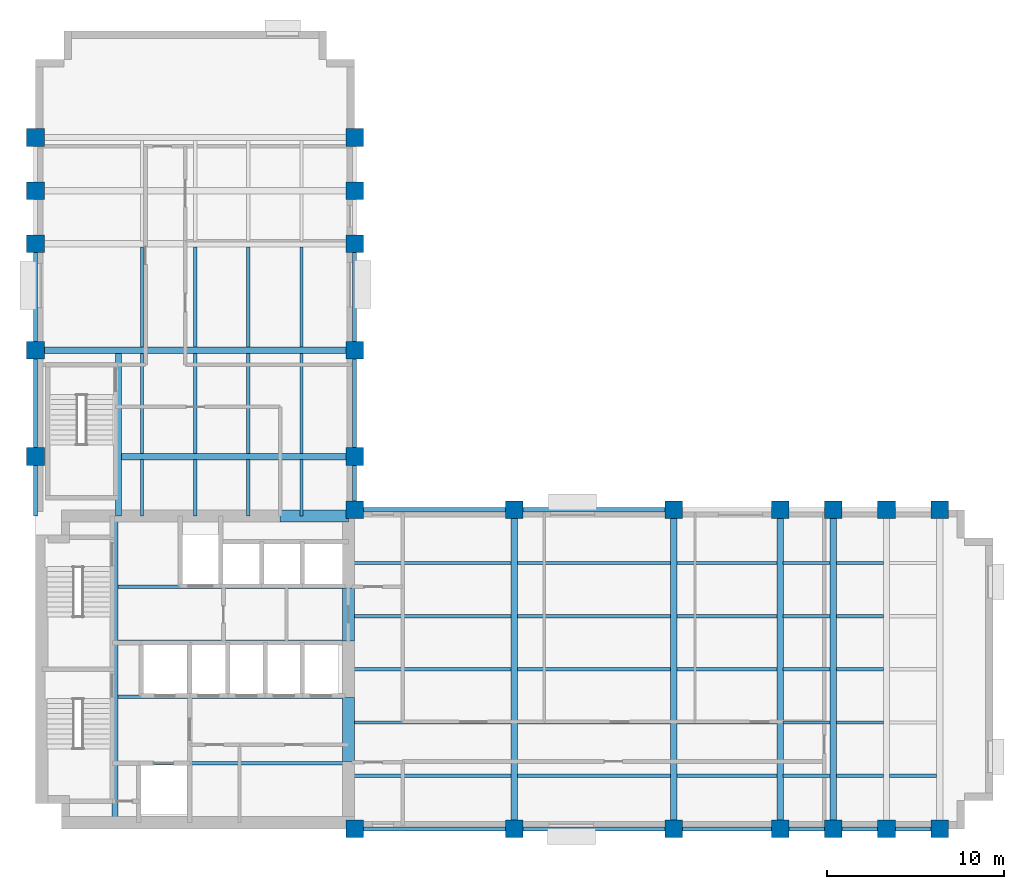
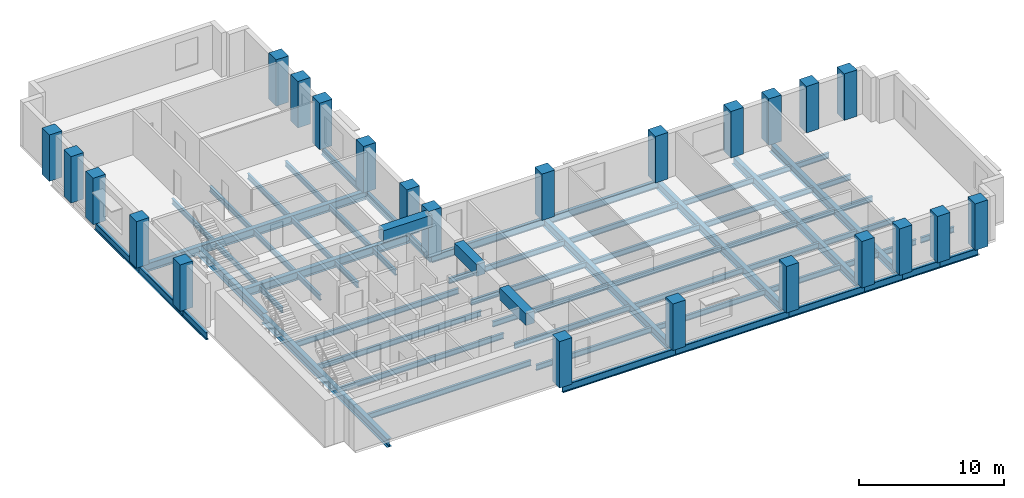
# One storey, part 1 of 8: 67 beams, 24 columns.
"""IFC4 building model written with IfcOpenShell, lengths in metres."""

from ifc_helpers import new_model, si_unit, direction, frame, origin, origin_2d, place, context, subcontext, project, spatial, rectangle, i_section, extrude, material, material_profile, profile_set, type_object, element, save


model = new_model("IFC4")

# Units and contexts
model_context = context("Model", 3, precision=1e-05, world=origin(), true_north=direction((0.0, 1.0)))
body_context = subcontext(model_context, "Body", "Model", "MODEL_VIEW")
ifc_project = project(units=[si_unit("LENGTHUNIT", "METRE"), si_unit("AREAUNIT", "SQUARE_METRE"), si_unit("VOLUMEUNIT", "CUBIC_METRE"), si_unit("PLANEANGLEUNIT", "RADIAN"), si_unit("MASSUNIT", "GRAM", prefix="KILO")], contexts=[model_context])

# Site, building, storey
site_placement = place(None, origin())
site = spatial("IfcSite", under=ifc_project, at=site_placement, CompositionType="ELEMENT")
building_placement = place(site_placement, origin())
building = spatial("IfcBuilding", under=site, at=building_placement, Name="Mawjdan Bourse Tower", CompositionType="ELEMENT")
storey_placement = place(building_placement, frame((0.0, 0.0, 144.0)))
storey = spatial("IfcBuildingStorey", under=building, at=storey_placement, Name="L34", CompositionType="ELEMENT", Elevation=144.0)

# Columns
ifc_material_1 = material(Name="Concrete C70/85", Category="concrete")
ifc_material_profile_1 = material_profile(ifc_material_1, rectangle(XDim=1.0, YDim=1.0, at=origin_2d()), Name="RC1000X1000")
ifc_profile_set_1 = profile_set([ifc_material_profile_1], Name="Concrete C70/85")
column_type = type_object("IfcColumnType", Name="COL-RC1000X1000", PredefinedType="COLUMN", material=ifc_profile_set_1)
for number, where, z_axis, x_axis, name in (
    (1, (24.0, 3.0, 0.0), (0.0, 0.0, 1.0), (1.0, 0.0, 0.0), "L34 Structural Column C-X240-Y30"),
    (2, (24.0, 21.0, 0.0), (0.0, 0.0, 1.0), (1.0, 0.0, 0.0), "L34 Structural Column C-X240-Y210"),
    (3, (33.0, 3.0, 0.0), (0.0, 0.0, 1.0), (1.0, 0.0, 0.0), "L34 Structural Column C-X330-Y30"),
    (4, (33.0, 21.0, 0.0), (0.0, 0.0, 1.0), (1.0, 0.0, 0.0), "L34 Structural Column C-X330-Y210"),
    (5, (42.0, 3.0, 0.0), (0.0, 0.0, 1.0), (1.0, 0.0, 0.0), "L34 Structural Column C-X420-Y30"),
    (6, (42.0, 21.0, 0.0), (0.0, 0.0, 1.0), (1.0, 0.0, 0.0), "L34 Structural Column C-X420-Y210"),
    (7, (48.0, 3.0, 0.0), (0.0, 0.0, 1.0), (1.0, 0.0, 0.0), "L34 Structural Column C-X480-Y30"),
    (8, (48.0, 21.0, 0.0), (0.0, 0.0, 1.0), (1.0, 0.0, 0.0), "L34 Structural Column C-X480-Y210"),
    (9, (51.0, 3.0, 0.0), (0.0, 0.0, 1.0), (1.0, 0.0, 0.0), "L34 Structural Column C-X510-Y30"),
    (10, (51.0, 21.0, 0.0), (0.0, 0.0, 1.0), (1.0, 0.0, 0.0), "L34 Structural Column C-X510-Y210"),
    (11, (54.0, 3.0, 0.0), (0.0, 0.0, 1.0), (1.0, 0.0, 0.0), "L34 Structural Column C-X540-Y30"),
    (12, (54.0, 21.0, 0.0), (0.0, 0.0, 1.0), (1.0, 0.0, 0.0), "L34 Structural Column C-X540-Y210"),
    (13, (57.0, 3.0, 0.0), (0.0, 0.0, 1.0), (1.0, 0.0, 0.0), "L34 Structural Column C-X570-Y30"),
    (14, (57.0, 21.0, 0.0), (0.0, 0.0, 1.0), (1.0, 0.0, 0.0), "L34 Structural Column C-X570-Y210"),
    (15, (6.0, 24.0, 0.0), (0.0, 0.0, 1.0), (1.0, 0.0, 0.0), "L34 Structural Column C-X60-Y240"),
    (16, (24.0, 24.0, 0.0), (0.0, 0.0, 1.0), (1.0, 0.0, 0.0), "L34 Structural Column C-X240-Y240"),
    (17, (6.0, 30.0, 0.0), (0.0, 0.0, 1.0), (1.0, 0.0, 0.0), "L34 Structural Column C-X60-Y300"),
    (18, (24.0, 30.0, 0.0), (0.0, 0.0, 1.0), (1.0, 0.0, 0.0), "L34 Structural Column C-X240-Y300"),
    (19, (6.0, 36.0, 0.0), (0.0, 0.0, 1.0), (1.0, 0.0, 0.0), "L34 Structural Column C-X60-Y360"),
    (20, (24.0, 36.0, 0.0), (0.0, 0.0, 1.0), (1.0, 0.0, 0.0), "L34 Structural Column C-X240-Y360"),
    (21, (6.0, 39.0, 0.0), (0.0, 0.0, 1.0), (1.0, 0.0, 0.0), "L34 Structural Column C-X60-Y390"),
    (22, (24.0, 39.0, 0.0), (0.0, 0.0, 1.0), (1.0, 0.0, 0.0), "L34 Structural Column C-X240-Y390"),
    (23, (6.0, 42.0, 0.0), (0.0, 0.0, 1.0), (1.0, 0.0, 0.0), "L34 Structural Column C-X60-Y420"),
    (24, (24.0, 42.0, 0.0), (0.0, 0.0, 1.0), (1.0, 0.0, 0.0), "L34 Structural Column C-X240-Y420"),
):
    element("IfcColumn", number, at=place(storey_placement, frame(where, z_axis=z_axis, x_axis=x_axis)), inside=storey, type_object=column_type, Name=name, PredefinedType="COLUMN", context=body_context, shape_type="SweptSolid", body=[
        extrude(rectangle(XDim=1.0, YDim=1.0, at=origin_2d()), origin(), (0.0, 0.0, 1.0), 3.89990234375),
    ])

# Beams
ifc_material_2 = material(Name="Structural Steel S355", Category="steel")
ifc_material_profile_2 = material_profile(ifc_material_2, i_section(OverallWidth=0.35498046875, OverallDepth=0.696044921875, WebThickness=0.015380859375, FlangeThickness=0.02490234375, FilletRadius=0.019775390625, at=origin_2d()), Name="W27X146")
ifc_profile_set_2 = profile_set([ifc_material_profile_2], Name="Structural Steel S355")
beam_type_1 = type_object("IfcBeamType", Name="GRD-W27X146", PredefinedType="BEAM", material=ifc_profile_set_2)
beam_1_placement = place(storey_placement, frame((10.47998046875, 3.35009765625, -0.548095703125), z_axis=(0.0, 1.0, 0.0), x_axis=(-1.0, 0.0, 0.0)))
element("IfcBeam", 25, at=beam_1_placement, inside=storey, type_object=beam_type_1, Name="L34 Core Stair Trimmer Girder 001", PredefinedType="BEAM", context=body_context, shape_type="SweptSolid", body=[
    extrude(i_section(OverallWidth=0.35498046875, OverallDepth=0.696044921875, WebThickness=0.015380859375, FlangeThickness=0.02490234375, FilletRadius=0.019775390625, at=origin_2d()), origin(), (0.0, 0.0, 1.0), 17.2998046875),
])
for number, where, z_axis, x_axis, name in (
    (26, (33.0, 3.0, -0.548095703125), (0.0, 1.0, 0.0), (-1.0, 0.0, 0.0), "L34 East Wing Clear-Span Girder 002"),
    (27, (42.0, 3.0, -0.548095703125), (0.0, 1.0, 0.0), (-1.0, 0.0, 0.0), "L34 East Wing Clear-Span Girder 003"),
    (28, (48.0, 3.0, -0.548095703125), (0.0, 1.0, 0.0), (-1.0, 0.0, 0.0), "L34 East Wing Clear-Span Girder 004"),
    (29, (51.0, 3.0, -0.548095703125), (0.0, 1.0, 0.0), (-1.0, 0.0, 0.0), "L34 East Wing Clear-Span Girder 005"),
):
    element("IfcBeam", number, at=place(storey_placement, frame(where, z_axis=z_axis, x_axis=x_axis)), inside=storey, type_object=beam_type_1, Name=name, PredefinedType="BEAM", context=body_context, shape_type="SweptSolid", body=[
        extrude(i_section(OverallWidth=0.35498046875, OverallDepth=0.696044921875, WebThickness=0.015380859375, FlangeThickness=0.02490234375, FilletRadius=0.019775390625, at=origin_2d()), origin(), (0.0, 0.0, 1.0), 18.0),
    ])
beam_2_placement = place(storey_placement, frame((10.679931640625, 20.64990234375, -0.548095703125), z_axis=(0.0, 1.0, 0.0), x_axis=(-1.0, 0.0, 0.0)))
element("IfcBeam", 30, at=beam_2_placement, inside=storey, type_object=beam_type_1, Name="L34 North Wing Stair Trimmer Girder 054", PredefinedType="BEAM", context=body_context, shape_type="SweptSolid", body=[
    extrude(i_section(OverallWidth=0.35498046875, OverallDepth=0.696044921875, WebThickness=0.015380859375, FlangeThickness=0.02490234375, FilletRadius=0.019775390625, at=origin_2d()), origin(), (0.0, 0.0, 1.0), 9.174560546875),
])
beam_3_placement = place(storey_placement, frame((10.85546875, 24.0, -0.548095703125), z_axis=(1.0, 0.0, 0.0), x_axis=(0.0, 1.0, 0.0)))
element("IfcBeam", 31, at=beam_3_placement, inside=storey, type_object=beam_type_1, Name="L34 North Wing Clear-Span Girder 055", PredefinedType="BEAM", context=body_context, shape_type="SweptSolid", body=[
    extrude(i_section(OverallWidth=0.35498046875, OverallDepth=0.696044921875, WebThickness=0.015380859375, FlangeThickness=0.02490234375, FilletRadius=0.019775390625, at=origin_2d()), origin(), (0.0, 0.0, 1.0), 13.14453125),
])
beam_4_placement = place(storey_placement, frame((6.0, 30.0, -0.548095703125), z_axis=(1.0, 0.0, 0.0), x_axis=(0.0, 1.0, 0.0)))
element("IfcBeam", 32, at=beam_4_placement, inside=storey, type_object=beam_type_1, Name="L34 North Wing Clear-Span Girder 056", PredefinedType="BEAM", context=body_context, shape_type="SweptSolid", body=[
    extrude(i_section(OverallWidth=0.35498046875, OverallDepth=0.696044921875, WebThickness=0.015380859375, FlangeThickness=0.02490234375, FilletRadius=0.019775390625, at=origin_2d()), origin(), (0.0, 0.0, 1.0), 18.0),
])
ifc_material_profile_3 = material_profile(ifc_material_2, i_section(OverallWidth=0.18994140625, OverallDepth=0.45703125, WebThickness=0.009033203125, FlangeThickness=0.014404296875, FilletRadius=0.01171875, at=origin_2d()), Name="W18X50")
ifc_profile_set_3 = profile_set([ifc_material_profile_3], Name="Structural Steel S355")
beam_type_2 = type_object("IfcBeamType", Name="JST-W18X50", PredefinedType="JOIST", material=ifc_profile_set_3)
beam_5_placement = place(storey_placement, frame((23.64990234375, 6.0, -0.428466796875), z_axis=(1.0, 0.0, 0.0), x_axis=(0.0, 1.0, 0.0)))
element("IfcBeam", 33, at=beam_5_placement, inside=storey, type_object=beam_type_2, Name="L34 East Wing Composite Joist 020", PredefinedType="JOIST", context=body_context, shape_type="SweptSolid", body=[
    extrude(i_section(OverallWidth=0.18994140625, OverallDepth=0.45703125, WebThickness=0.009033203125, FlangeThickness=0.014404296875, FilletRadius=0.01171875, at=origin_2d()), origin(), (0.0, 0.0, 1.0), 9.174560546875),
])
beam_6_placement = place(storey_placement, frame((33.175537109375, 6.0, -0.428466796875), z_axis=(1.0, 0.0, 0.0), x_axis=(0.0, 1.0, 0.0)))
element("IfcBeam", 34, at=beam_6_placement, inside=storey, type_object=beam_type_2, Name="L34 East Wing Composite Joist 021", PredefinedType="JOIST", context=body_context, shape_type="SweptSolid", body=[
    extrude(i_section(OverallWidth=0.18994140625, OverallDepth=0.45703125, WebThickness=0.009033203125, FlangeThickness=0.014404296875, FilletRadius=0.01171875, at=origin_2d()), origin(), (0.0, 0.0, 1.0), 8.64892578125),
])
beam_7_placement = place(storey_placement, frame((42.175537109375, 6.0, -0.428466796875), z_axis=(1.0, 0.0, 0.0), x_axis=(0.0, 1.0, 0.0)))
element("IfcBeam", 35, at=beam_7_placement, inside=storey, type_object=beam_type_2, Name="L34 East Wing Composite Joist 022", PredefinedType="JOIST", context=body_context, shape_type="SweptSolid", body=[
    extrude(i_section(OverallWidth=0.18994140625, OverallDepth=0.45703125, WebThickness=0.009033203125, FlangeThickness=0.014404296875, FilletRadius=0.01171875, at=origin_2d()), origin(), (0.0, 0.0, 1.0), 5.64892578125),
])
for number, where, z_axis, x_axis, name in (
    (36, (48.175537109375, 6.0, -0.428466796875), (1.0, 0.0, 0.0), (0.0, 1.0, 0.0), "L34 East Wing Composite Joist 023"),
    (37, (51.175537109375, 6.0, -0.428466796875), (1.0, 0.0, 0.0), (0.0, 1.0, 0.0), "L34 East Wing Composite Joist 024"),
    (38, (54.175537109375, 6.0, -0.428466796875), (1.0, 0.0, 0.0), (0.0, 1.0, 0.0), "L34 East Wing Composite Joist 025"),
):
    element("IfcBeam", number, at=place(storey_placement, frame(where, z_axis=z_axis, x_axis=x_axis)), inside=storey, type_object=beam_type_2, Name=name, PredefinedType="JOIST", context=body_context, shape_type="SweptSolid", body=[
        extrude(i_section(OverallWidth=0.18994140625, OverallDepth=0.45703125, WebThickness=0.009033203125, FlangeThickness=0.014404296875, FilletRadius=0.01171875, at=origin_2d()), origin(), (0.0, 0.0, 1.0), 2.64892578125),
    ])
beam_8_placement = place(storey_placement, frame((23.64990234375, 9.0, -0.428466796875), z_axis=(1.0, 0.0, 0.0), x_axis=(0.0, 1.0, 0.0)))
element("IfcBeam", 39, at=beam_8_placement, inside=storey, type_object=beam_type_2, Name="L34 East Wing Composite Joist 026", PredefinedType="JOIST", context=body_context, shape_type="SweptSolid", body=[
    extrude(i_section(OverallWidth=0.18994140625, OverallDepth=0.45703125, WebThickness=0.009033203125, FlangeThickness=0.014404296875, FilletRadius=0.01171875, at=origin_2d()), origin(), (0.0, 0.0, 1.0), 9.174560546875),
])
beam_9_placement = place(storey_placement, frame((33.175537109375, 9.0, -0.428466796875), z_axis=(1.0, 0.0, 0.0), x_axis=(0.0, 1.0, 0.0)))
element("IfcBeam", 40, at=beam_9_placement, inside=storey, type_object=beam_type_2, Name="L34 East Wing Composite Joist 027", PredefinedType="JOIST", context=body_context, shape_type="SweptSolid", body=[
    extrude(i_section(OverallWidth=0.18994140625, OverallDepth=0.45703125, WebThickness=0.009033203125, FlangeThickness=0.014404296875, FilletRadius=0.01171875, at=origin_2d()), origin(), (0.0, 0.0, 1.0), 8.64892578125),
])
beam_10_placement = place(storey_placement, frame((42.175537109375, 9.0, -0.428466796875), z_axis=(1.0, 0.0, 0.0), x_axis=(0.0, 1.0, 0.0)))
element("IfcBeam", 41, at=beam_10_placement, inside=storey, type_object=beam_type_2, Name="L34 East Wing Composite Joist 028", PredefinedType="JOIST", context=body_context, shape_type="SweptSolid", body=[
    extrude(i_section(OverallWidth=0.18994140625, OverallDepth=0.45703125, WebThickness=0.009033203125, FlangeThickness=0.014404296875, FilletRadius=0.01171875, at=origin_2d()), origin(), (0.0, 0.0, 1.0), 5.64892578125),
])
for number, where, z_axis, x_axis, name in (
    (42, (48.175537109375, 9.0, -0.428466796875), (1.0, 0.0, 0.0), (0.0, 1.0, 0.0), "L34 East Wing Composite Joist 029"),
    (43, (51.175537109375, 9.0, -0.428466796875), (1.0, 0.0, 0.0), (0.0, 1.0, 0.0), "L34 East Wing Composite Joist 030"),
):
    element("IfcBeam", number, at=place(storey_placement, frame(where, z_axis=z_axis, x_axis=x_axis)), inside=storey, type_object=beam_type_2, Name=name, PredefinedType="JOIST", context=body_context, shape_type="SweptSolid", body=[
        extrude(i_section(OverallWidth=0.18994140625, OverallDepth=0.45703125, WebThickness=0.009033203125, FlangeThickness=0.014404296875, FilletRadius=0.01171875, at=origin_2d()), origin(), (0.0, 0.0, 1.0), 2.64892578125),
    ])
beam_11_placement = place(storey_placement, frame((23.64990234375, 12.0, -0.428466796875), z_axis=(1.0, 0.0, 0.0), x_axis=(0.0, 1.0, 0.0)))
element("IfcBeam", 44, at=beam_11_placement, inside=storey, type_object=beam_type_2, Name="L34 East Wing Composite Joist 032", PredefinedType="JOIST", context=body_context, shape_type="SweptSolid", body=[
    extrude(i_section(OverallWidth=0.18994140625, OverallDepth=0.45703125, WebThickness=0.009033203125, FlangeThickness=0.014404296875, FilletRadius=0.01171875, at=origin_2d()), origin(), (0.0, 0.0, 1.0), 9.174560546875),
])
beam_12_placement = place(storey_placement, frame((33.175537109375, 12.0, -0.428466796875), z_axis=(1.0, 0.0, 0.0), x_axis=(0.0, 1.0, 0.0)))
element("IfcBeam", 45, at=beam_12_placement, inside=storey, type_object=beam_type_2, Name="L34 East Wing Composite Joist 033", PredefinedType="JOIST", context=body_context, shape_type="SweptSolid", body=[
    extrude(i_section(OverallWidth=0.18994140625, OverallDepth=0.45703125, WebThickness=0.009033203125, FlangeThickness=0.014404296875, FilletRadius=0.01171875, at=origin_2d()), origin(), (0.0, 0.0, 1.0), 8.64892578125),
])
beam_13_placement = place(storey_placement, frame((42.175537109375, 12.0, -0.428466796875), z_axis=(1.0, 0.0, 0.0), x_axis=(0.0, 1.0, 0.0)))
element("IfcBeam", 46, at=beam_13_placement, inside=storey, type_object=beam_type_2, Name="L34 East Wing Composite Joist 034", PredefinedType="JOIST", context=body_context, shape_type="SweptSolid", body=[
    extrude(i_section(OverallWidth=0.18994140625, OverallDepth=0.45703125, WebThickness=0.009033203125, FlangeThickness=0.014404296875, FilletRadius=0.01171875, at=origin_2d()), origin(), (0.0, 0.0, 1.0), 5.64892578125),
])
for number, where, z_axis, x_axis, name in (
    (47, (48.175537109375, 12.0, -0.428466796875), (1.0, 0.0, 0.0), (0.0, 1.0, 0.0), "L34 East Wing Composite Joist 035"),
    (48, (51.175537109375, 12.0, -0.428466796875), (1.0, 0.0, 0.0), (0.0, 1.0, 0.0), "L34 East Wing Composite Joist 036"),
):
    element("IfcBeam", number, at=place(storey_placement, frame(where, z_axis=z_axis, x_axis=x_axis)), inside=storey, type_object=beam_type_2, Name=name, PredefinedType="JOIST", context=body_context, shape_type="SweptSolid", body=[
        extrude(i_section(OverallWidth=0.18994140625, OverallDepth=0.45703125, WebThickness=0.009033203125, FlangeThickness=0.014404296875, FilletRadius=0.01171875, at=origin_2d()), origin(), (0.0, 0.0, 1.0), 2.64892578125),
    ])
beam_14_placement = place(storey_placement, frame((23.64990234375, 15.0, -0.428466796875), z_axis=(1.0, 0.0, 0.0), x_axis=(0.0, 1.0, 0.0)))
element("IfcBeam", 49, at=beam_14_placement, inside=storey, type_object=beam_type_2, Name="L34 East Wing Composite Joist 038", PredefinedType="JOIST", context=body_context, shape_type="SweptSolid", body=[
    extrude(i_section(OverallWidth=0.18994140625, OverallDepth=0.45703125, WebThickness=0.009033203125, FlangeThickness=0.014404296875, FilletRadius=0.01171875, at=origin_2d()), origin(), (0.0, 0.0, 1.0), 9.174560546875),
])
beam_15_placement = place(storey_placement, frame((33.175537109375, 15.0, -0.428466796875), z_axis=(1.0, 0.0, 0.0), x_axis=(0.0, 1.0, 0.0)))
element("IfcBeam", 50, at=beam_15_placement, inside=storey, type_object=beam_type_2, Name="L34 East Wing Composite Joist 039", PredefinedType="JOIST", context=body_context, shape_type="SweptSolid", body=[
    extrude(i_section(OverallWidth=0.18994140625, OverallDepth=0.45703125, WebThickness=0.009033203125, FlangeThickness=0.014404296875, FilletRadius=0.01171875, at=origin_2d()), origin(), (0.0, 0.0, 1.0), 8.64892578125),
])
beam_16_placement = place(storey_placement, frame((42.175537109375, 15.0, -0.428466796875), z_axis=(1.0, 0.0, 0.0), x_axis=(0.0, 1.0, 0.0)))
element("IfcBeam", 51, at=beam_16_placement, inside=storey, type_object=beam_type_2, Name="L34 East Wing Composite Joist 040", PredefinedType="JOIST", context=body_context, shape_type="SweptSolid", body=[
    extrude(i_section(OverallWidth=0.18994140625, OverallDepth=0.45703125, WebThickness=0.009033203125, FlangeThickness=0.014404296875, FilletRadius=0.01171875, at=origin_2d()), origin(), (0.0, 0.0, 1.0), 5.64892578125),
])
for number, where, z_axis, x_axis, name in (
    (52, (48.175537109375, 15.0, -0.428466796875), (1.0, 0.0, 0.0), (0.0, 1.0, 0.0), "L34 East Wing Composite Joist 041"),
    (53, (51.175537109375, 15.0, -0.428466796875), (1.0, 0.0, 0.0), (0.0, 1.0, 0.0), "L34 East Wing Composite Joist 042"),
):
    element("IfcBeam", number, at=place(storey_placement, frame(where, z_axis=z_axis, x_axis=x_axis)), inside=storey, type_object=beam_type_2, Name=name, PredefinedType="JOIST", context=body_context, shape_type="SweptSolid", body=[
        extrude(i_section(OverallWidth=0.18994140625, OverallDepth=0.45703125, WebThickness=0.009033203125, FlangeThickness=0.014404296875, FilletRadius=0.01171875, at=origin_2d()), origin(), (0.0, 0.0, 1.0), 2.64892578125),
    ])
beam_17_placement = place(storey_placement, frame((23.64990234375, 18.0, -0.428466796875), z_axis=(1.0, 0.0, 0.0), x_axis=(0.0, 1.0, 0.0)))
element("IfcBeam", 54, at=beam_17_placement, inside=storey, type_object=beam_type_2, Name="L34 East Wing Composite Joist 044", PredefinedType="JOIST", context=body_context, shape_type="SweptSolid", body=[
    extrude(i_section(OverallWidth=0.18994140625, OverallDepth=0.45703125, WebThickness=0.009033203125, FlangeThickness=0.014404296875, FilletRadius=0.01171875, at=origin_2d()), origin(), (0.0, 0.0, 1.0), 9.174560546875),
])
beam_18_placement = place(storey_placement, frame((33.175537109375, 18.0, -0.428466796875), z_axis=(1.0, 0.0, 0.0), x_axis=(0.0, 1.0, 0.0)))
element("IfcBeam", 55, at=beam_18_placement, inside=storey, type_object=beam_type_2, Name="L34 East Wing Composite Joist 045", PredefinedType="JOIST", context=body_context, shape_type="SweptSolid", body=[
    extrude(i_section(OverallWidth=0.18994140625, OverallDepth=0.45703125, WebThickness=0.009033203125, FlangeThickness=0.014404296875, FilletRadius=0.01171875, at=origin_2d()), origin(), (0.0, 0.0, 1.0), 8.64892578125),
])
beam_19_placement = place(storey_placement, frame((42.175537109375, 18.0, -0.428466796875), z_axis=(1.0, 0.0, 0.0), x_axis=(0.0, 1.0, 0.0)))
element("IfcBeam", 56, at=beam_19_placement, inside=storey, type_object=beam_type_2, Name="L34 East Wing Composite Joist 046", PredefinedType="JOIST", context=body_context, shape_type="SweptSolid", body=[
    extrude(i_section(OverallWidth=0.18994140625, OverallDepth=0.45703125, WebThickness=0.009033203125, FlangeThickness=0.014404296875, FilletRadius=0.01171875, at=origin_2d()), origin(), (0.0, 0.0, 1.0), 5.64892578125),
])
for number, where, z_axis, x_axis, name in (
    (57, (48.175537109375, 18.0, -0.428466796875), (1.0, 0.0, 0.0), (0.0, 1.0, 0.0), "L34 East Wing Composite Joist 047"),
    (58, (51.175537109375, 18.0, -0.428466796875), (1.0, 0.0, 0.0), (0.0, 1.0, 0.0), "L34 East Wing Composite Joist 048"),
):
    element("IfcBeam", number, at=place(storey_placement, frame(where, z_axis=z_axis, x_axis=x_axis)), inside=storey, type_object=beam_type_2, Name=name, PredefinedType="JOIST", context=body_context, shape_type="SweptSolid", body=[
        extrude(i_section(OverallWidth=0.18994140625, OverallDepth=0.45703125, WebThickness=0.009033203125, FlangeThickness=0.014404296875, FilletRadius=0.01171875, at=origin_2d()), origin(), (0.0, 0.0, 1.0), 2.64892578125),
    ])
for number, where, z_axis, x_axis, name in (
    (59, (10.655517578125, 6.699951171875, -0.428466796875), (1.0, 0.0, 0.0), (0.0, 1.0, 0.0), "L34 Core Floor Joist 050"),
    (60, (10.655517578125, 10.449951171875, -0.428466796875), (1.0, 0.0, 0.0), (0.0, 1.0, 0.0), "L34 Core Floor Joist 051"),
    (61, (10.655517578125, 13.550048828125, -0.428466796875), (1.0, 0.0, 0.0), (0.0, 1.0, 0.0), "L34 Core Floor Joist 052"),
    (62, (10.655517578125, 16.64990234375, -0.428466796875), (1.0, 0.0, 0.0), (0.0, 1.0, 0.0), "L34 Core Floor Joist 053"),
):
    element("IfcBeam", number, at=place(storey_placement, frame(where, z_axis=z_axis, x_axis=x_axis)), inside=storey, type_object=beam_type_2, Name=name, PredefinedType="JOIST", context=body_context, shape_type="SweptSolid", body=[
        extrude(i_section(OverallWidth=0.18994140625, OverallDepth=0.45703125, WebThickness=0.009033203125, FlangeThickness=0.014404296875, FilletRadius=0.01171875, at=origin_2d()), origin(), (0.0, 0.0, 1.0), 12.994384765625),
    ])
beam_20_placement = place(storey_placement, frame((12.0, 20.64990234375, -0.428466796875), z_axis=(0.0, 1.0, 0.0), x_axis=(-1.0, 0.0, 0.0)))
element("IfcBeam", 63, at=beam_20_placement, inside=storey, type_object=beam_type_2, Name="L34 North Wing Composite Joist 070", PredefinedType="JOIST", context=body_context, shape_type="SweptSolid", body=[
    extrude(i_section(OverallWidth=0.18994140625, OverallDepth=0.45703125, WebThickness=0.009033203125, FlangeThickness=0.014404296875, FilletRadius=0.01171875, at=origin_2d()), origin(), (0.0, 0.0, 1.0), 3.174560546875),
])
for number, where, z_axis, x_axis, name in (
    (64, (12.0, 24.175537109375, -0.428466796875), (0.0, 1.0, 0.0), (-1.0, 0.0, 0.0), "L34 North Wing Composite Joist 071"),
    (65, (12.0, 30.175537109375, -0.428466796875), (0.0, 1.0, 0.0), (-1.0, 0.0, 0.0), "L34 North Wing Composite Joist 072"),
):
    element("IfcBeam", number, at=place(storey_placement, frame(where, z_axis=z_axis, x_axis=x_axis)), inside=storey, type_object=beam_type_2, Name=name, PredefinedType="JOIST", context=body_context, shape_type="SweptSolid", body=[
        extrude(i_section(OverallWidth=0.18994140625, OverallDepth=0.45703125, WebThickness=0.009033203125, FlangeThickness=0.014404296875, FilletRadius=0.01171875, at=origin_2d()), origin(), (0.0, 0.0, 1.0), 5.64892578125),
    ])
beam_21_placement = place(storey_placement, frame((15.0, 20.64990234375, -0.428466796875), z_axis=(0.0, 1.0, 0.0), x_axis=(-1.0, 0.0, 0.0)))
element("IfcBeam", 66, at=beam_21_placement, inside=storey, type_object=beam_type_2, Name="L34 North Wing Composite Joist 075", PredefinedType="JOIST", context=body_context, shape_type="SweptSolid", body=[
    extrude(i_section(OverallWidth=0.18994140625, OverallDepth=0.45703125, WebThickness=0.009033203125, FlangeThickness=0.014404296875, FilletRadius=0.01171875, at=origin_2d()), origin(), (0.0, 0.0, 1.0), 3.174560546875),
])
for number, where, z_axis, x_axis, name in (
    (67, (15.0, 24.175537109375, -0.428466796875), (0.0, 1.0, 0.0), (-1.0, 0.0, 0.0), "L34 North Wing Composite Joist 076"),
    (68, (15.0, 30.175537109375, -0.428466796875), (0.0, 1.0, 0.0), (-1.0, 0.0, 0.0), "L34 North Wing Composite Joist 077"),
):
    element("IfcBeam", number, at=place(storey_placement, frame(where, z_axis=z_axis, x_axis=x_axis)), inside=storey, type_object=beam_type_2, Name=name, PredefinedType="JOIST", context=body_context, shape_type="SweptSolid", body=[
        extrude(i_section(OverallWidth=0.18994140625, OverallDepth=0.45703125, WebThickness=0.009033203125, FlangeThickness=0.014404296875, FilletRadius=0.01171875, at=origin_2d()), origin(), (0.0, 0.0, 1.0), 5.64892578125),
    ])
beam_22_placement = place(storey_placement, frame((18.0, 20.64990234375, -0.428466796875), z_axis=(0.0, 1.0, 0.0), x_axis=(-1.0, 0.0, 0.0)))
element("IfcBeam", 69, at=beam_22_placement, inside=storey, type_object=beam_type_2, Name="L34 North Wing Composite Joist 080", PredefinedType="JOIST", context=body_context, shape_type="SweptSolid", body=[
    extrude(i_section(OverallWidth=0.18994140625, OverallDepth=0.45703125, WebThickness=0.009033203125, FlangeThickness=0.014404296875, FilletRadius=0.01171875, at=origin_2d()), origin(), (0.0, 0.0, 1.0), 3.174560546875),
])
for number, where, z_axis, x_axis, name in (
    (70, (18.0, 24.175537109375, -0.428466796875), (0.0, 1.0, 0.0), (-1.0, 0.0, 0.0), "L34 North Wing Composite Joist 081"),
    (71, (18.0, 30.175537109375, -0.428466796875), (0.0, 1.0, 0.0), (-1.0, 0.0, 0.0), "L34 North Wing Composite Joist 082"),
):
    element("IfcBeam", number, at=place(storey_placement, frame(where, z_axis=z_axis, x_axis=x_axis)), inside=storey, type_object=beam_type_2, Name=name, PredefinedType="JOIST", context=body_context, shape_type="SweptSolid", body=[
        extrude(i_section(OverallWidth=0.18994140625, OverallDepth=0.45703125, WebThickness=0.009033203125, FlangeThickness=0.014404296875, FilletRadius=0.01171875, at=origin_2d()), origin(), (0.0, 0.0, 1.0), 5.64892578125),
    ])
beam_23_placement = place(storey_placement, frame((21.0, 20.64990234375, -0.428466796875), z_axis=(0.0, 1.0, 0.0), x_axis=(-1.0, 0.0, 0.0)))
element("IfcBeam", 72, at=beam_23_placement, inside=storey, type_object=beam_type_2, Name="L34 North Wing Composite Joist 085", PredefinedType="JOIST", context=body_context, shape_type="SweptSolid", body=[
    extrude(i_section(OverallWidth=0.18994140625, OverallDepth=0.45703125, WebThickness=0.009033203125, FlangeThickness=0.014404296875, FilletRadius=0.01171875, at=origin_2d()), origin(), (0.0, 0.0, 1.0), 3.174560546875),
])
for number, where, z_axis, x_axis, name in (
    (73, (21.0, 24.175537109375, -0.428466796875), (0.0, 1.0, 0.0), (-1.0, 0.0, 0.0), "L34 North Wing Composite Joist 086"),
    (74, (21.0, 30.175537109375, -0.428466796875), (0.0, 1.0, 0.0), (-1.0, 0.0, 0.0), "L34 North Wing Composite Joist 087"),
):
    element("IfcBeam", number, at=place(storey_placement, frame(where, z_axis=z_axis, x_axis=x_axis)), inside=storey, type_object=beam_type_2, Name=name, PredefinedType="JOIST", context=body_context, shape_type="SweptSolid", body=[
        extrude(i_section(OverallWidth=0.18994140625, OverallDepth=0.45703125, WebThickness=0.009033203125, FlangeThickness=0.014404296875, FilletRadius=0.01171875, at=origin_2d()), origin(), (0.0, 0.0, 1.0), 5.64892578125),
    ])
ifc_material_profile_4 = material_profile(ifc_material_1, rectangle(XDim=0.699951171875, YDim=1.0, at=origin_2d()), Name="RCB700X1000")
ifc_profile_set_4 = profile_set([ifc_material_profile_4], Name="Concrete C70/85")
beam_type_3 = type_object("IfcBeamType", Name="LNT-RCB700X1000", PredefinedType="LINTEL", material=ifc_profile_set_4)
beam_24_placement = place(storey_placement, frame((23.64990234375, 6.800048828125, 3.199951171875), z_axis=(0.0, 1.0, 0.0), x_axis=(-1.0, 0.0, 0.0)))
element("IfcBeam", 75, at=beam_24_placement, inside=storey, type_object=beam_type_3, Name="L34 Coupled Core Lintel CB-E1", PredefinedType="LINTEL", context=body_context, shape_type="SweptSolid", body=[
    extrude(rectangle(XDim=0.699951171875, YDim=1.0, at=origin_2d()), origin(), (0.0, 0.0, 1.0), 3.599853515625),
])
beam_25_placement = place(storey_placement, frame((23.64990234375, 13.60009765625, 3.199951171875), z_axis=(0.0, 1.0, 0.0), x_axis=(-1.0, 0.0, 0.0)))
element("IfcBeam", 76, at=beam_25_placement, inside=storey, type_object=beam_type_3, Name="L34 Coupled Core Lintel CB-E2", PredefinedType="LINTEL", context=body_context, shape_type="SweptSolid", body=[
    extrude(rectangle(XDim=0.699951171875, YDim=1.0, at=origin_2d()), origin(), (0.0, 0.0, 1.0), 3.0),
])
beam_26_placement = place(storey_placement, frame((19.800048828125, 20.64990234375, 3.199951171875), z_axis=(1.0, 0.0, 0.0), x_axis=(0.0, 1.0, 0.0)))
element("IfcBeam", 77, at=beam_26_placement, inside=storey, type_object=beam_type_3, Name="L34 Coupled Core Lintel CB-N1", PredefinedType="LINTEL", context=body_context, shape_type="SweptSolid", body=[
    extrude(rectangle(XDim=0.699951171875, YDim=1.0, at=origin_2d()), origin(), (0.0, 0.0, 1.0), 3.849853515625),
])
ifc_material_profile_5 = material_profile(ifc_material_2, i_section(OverallWidth=0.22998046875, OverallDepth=0.616943359375, WebThickness=0.01318359375, FlangeThickness=0.022216796875, FilletRadius=0.017822265625, at=origin_2d()), Name="W24X94")
ifc_profile_set_5 = profile_set([ifc_material_profile_5], Name="Structural Steel S355")
beam_type_4 = type_object("IfcBeamType", Name="SPN-W24X94", PredefinedType="SPANDREL", material=ifc_profile_set_5)
for number, where, z_axis, x_axis, name in (
    (78, (24.0, 3.0, -0.508544921875), (1.0, 0.0, 0.0), (0.0, 1.0, 0.0), "L34 Perimeter Masonry-Shelf Spandrel 008"),
    (79, (33.0, 3.0, -0.508544921875), (1.0, 0.0, 0.0), (0.0, 1.0, 0.0), "L34 Perimeter Masonry-Shelf Spandrel 009"),
):
    element("IfcBeam", number, at=place(storey_placement, frame(where, z_axis=z_axis, x_axis=x_axis)), inside=storey, type_object=beam_type_4, Name=name, PredefinedType="SPANDREL", context=body_context, shape_type="SweptSolid", body=[
        extrude(i_section(OverallWidth=0.22998046875, OverallDepth=0.616943359375, WebThickness=0.01318359375, FlangeThickness=0.022216796875, FilletRadius=0.017822265625, at=origin_2d()), origin(), (0.0, 0.0, 1.0), 9.0),
    ])
beam_27_placement = place(storey_placement, frame((42.0, 3.0, -0.508544921875), z_axis=(1.0, 0.0, 0.0), x_axis=(0.0, 1.0, 0.0)))
element("IfcBeam", 80, at=beam_27_placement, inside=storey, type_object=beam_type_4, Name="L34 Perimeter Masonry-Shelf Spandrel 010", PredefinedType="SPANDREL", context=body_context, shape_type="SweptSolid", body=[
    extrude(i_section(OverallWidth=0.22998046875, OverallDepth=0.616943359375, WebThickness=0.01318359375, FlangeThickness=0.022216796875, FilletRadius=0.017822265625, at=origin_2d()), origin(), (0.0, 0.0, 1.0), 6.0),
])
for number, where, z_axis, x_axis, name in (
    (81, (48.0, 3.0, -0.508544921875), (1.0, 0.0, 0.0), (0.0, 1.0, 0.0), "L34 Perimeter Masonry-Shelf Spandrel 011"),
    (82, (51.0, 3.0, -0.508544921875), (1.0, 0.0, 0.0), (0.0, 1.0, 0.0), "L34 Perimeter Masonry-Shelf Spandrel 012"),
    (83, (54.0, 3.0, -0.508544921875), (1.0, 0.0, 0.0), (0.0, 1.0, 0.0), "L34 Perimeter Masonry-Shelf Spandrel 013"),
):
    element("IfcBeam", number, at=place(storey_placement, frame(where, z_axis=z_axis, x_axis=x_axis)), inside=storey, type_object=beam_type_4, Name=name, PredefinedType="SPANDREL", context=body_context, shape_type="SweptSolid", body=[
        extrude(i_section(OverallWidth=0.22998046875, OverallDepth=0.616943359375, WebThickness=0.01318359375, FlangeThickness=0.022216796875, FilletRadius=0.017822265625, at=origin_2d()), origin(), (0.0, 0.0, 1.0), 3.0),
    ])
for number, where, z_axis, x_axis, name in (
    (84, (24.0, 21.0, -0.508544921875), (1.0, 0.0, 0.0), (0.0, 1.0, 0.0), "L34 Perimeter Masonry-Shelf Spandrel 014"),
    (85, (33.0, 21.0, -0.508544921875), (1.0, 0.0, 0.0), (0.0, 1.0, 0.0), "L34 Perimeter Masonry-Shelf Spandrel 015"),
):
    element("IfcBeam", number, at=place(storey_placement, frame(where, z_axis=z_axis, x_axis=x_axis)), inside=storey, type_object=beam_type_4, Name=name, PredefinedType="SPANDREL", context=body_context, shape_type="SweptSolid", body=[
        extrude(i_section(OverallWidth=0.22998046875, OverallDepth=0.616943359375, WebThickness=0.01318359375, FlangeThickness=0.022216796875, FilletRadius=0.017822265625, at=origin_2d()), origin(), (0.0, 0.0, 1.0), 9.0),
    ])
beam_28_placement = place(storey_placement, frame((6.0, 20.64990234375, -0.508544921875), z_axis=(0.0, 1.0, 0.0), x_axis=(-1.0, 0.0, 0.0)))
element("IfcBeam", 86, at=beam_28_placement, inside=storey, type_object=beam_type_4, Name="L34 North Wing Spandrel 060", PredefinedType="SPANDREL", context=body_context, shape_type="SweptSolid", body=[
    extrude(i_section(OverallWidth=0.22998046875, OverallDepth=0.616943359375, WebThickness=0.01318359375, FlangeThickness=0.022216796875, FilletRadius=0.017822265625, at=origin_2d()), origin(), (0.0, 0.0, 1.0), 3.35009765625),
])
for number, where, z_axis, x_axis, name in (
    (87, (6.0, 24.0, -0.508544921875), (0.0, 1.0, 0.0), (-1.0, 0.0, 0.0), "L34 North Wing Spandrel 061"),
    (88, (6.0, 30.0, -0.508544921875), (0.0, 1.0, 0.0), (-1.0, 0.0, 0.0), "L34 North Wing Spandrel 062"),
):
    element("IfcBeam", number, at=place(storey_placement, frame(where, z_axis=z_axis, x_axis=x_axis)), inside=storey, type_object=beam_type_4, Name=name, PredefinedType="SPANDREL", context=body_context, shape_type="SweptSolid", body=[
        extrude(i_section(OverallWidth=0.22998046875, OverallDepth=0.616943359375, WebThickness=0.01318359375, FlangeThickness=0.022216796875, FilletRadius=0.017822265625, at=origin_2d()), origin(), (0.0, 0.0, 1.0), 6.0),
    ])
beam_29_placement = place(storey_placement, frame((24.0, 21.0, -0.508544921875), z_axis=(0.0, 1.0, 0.0), x_axis=(-1.0, 0.0, 0.0)))
element("IfcBeam", 89, at=beam_29_placement, inside=storey, type_object=beam_type_4, Name="L34 North Wing Spandrel 065", PredefinedType="SPANDREL", context=body_context, shape_type="SweptSolid", body=[
    extrude(i_section(OverallWidth=0.22998046875, OverallDepth=0.616943359375, WebThickness=0.01318359375, FlangeThickness=0.022216796875, FilletRadius=0.017822265625, at=origin_2d()), origin(), (0.0, 0.0, 1.0), 3.0),
])
for number, where, z_axis, x_axis, name in (
    (90, (24.0, 24.0, -0.508544921875), (0.0, 1.0, 0.0), (-1.0, 0.0, 0.0), "L34 North Wing Spandrel 066"),
    (91, (24.0, 30.0, -0.508544921875), (0.0, 1.0, 0.0), (-1.0, 0.0, 0.0), "L34 North Wing Spandrel 067"),
):
    element("IfcBeam", number, at=place(storey_placement, frame(where, z_axis=z_axis, x_axis=x_axis)), inside=storey, type_object=beam_type_4, Name=name, PredefinedType="SPANDREL", context=body_context, shape_type="SweptSolid", body=[
        extrude(i_section(OverallWidth=0.22998046875, OverallDepth=0.616943359375, WebThickness=0.01318359375, FlangeThickness=0.022216796875, FilletRadius=0.017822265625, at=origin_2d()), origin(), (0.0, 0.0, 1.0), 6.0),
    ])

save(model, "model.ifc")
